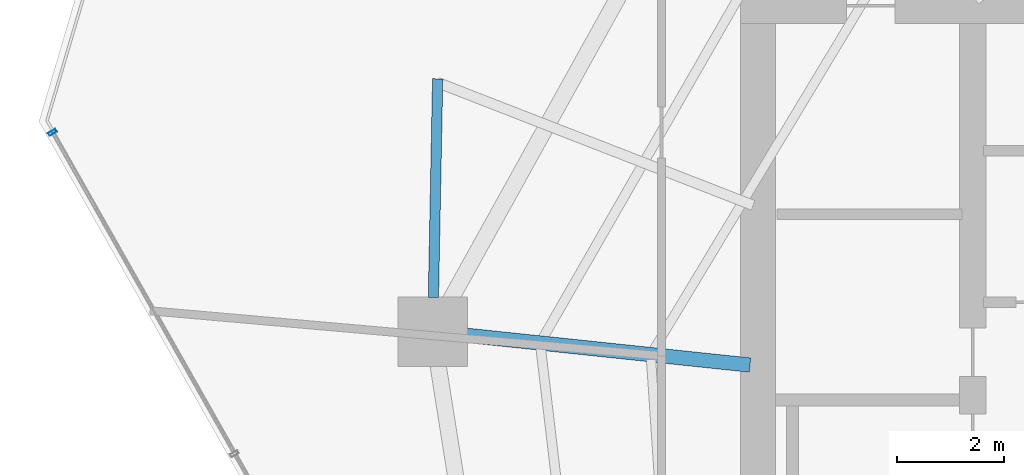
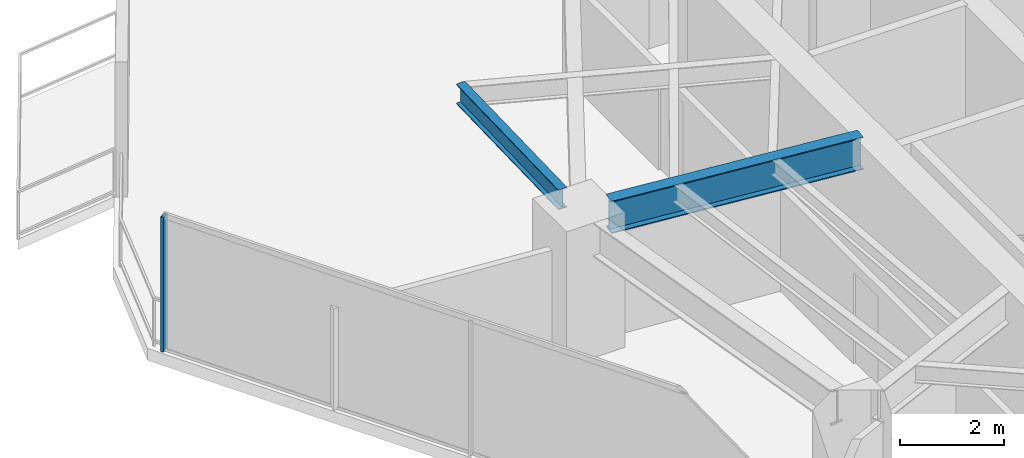
# One storey, part 9 of 31: 2 beams, 1 member, 1 element without a shape of its own.
"""IFC4 building model written with IfcOpenShell, lengths in metres."""

from ifc_helpers import new_model, si_unit, direction, frame, origin, origin_2d, place, context, subcontext, project, spatial, hollow_rectangle, i_section, extrude, material, layer, layer_set, material_profile, profile_set, type_object, element, aggregate, save


model = new_model("IFC4")

# Units and contexts
model_context = context("Model", 3, precision=1e-05, world=origin(), true_north=direction((0.0, 1.0)))
body_context = subcontext(model_context, "Body", "Model", "MODEL_VIEW")
ifc_project = project(units=[si_unit("LENGTHUNIT", "METRE"), si_unit("AREAUNIT", "SQUARE_METRE"), si_unit("VOLUMEUNIT", "CUBIC_METRE"), si_unit("PLANEANGLEUNIT", "RADIAN"), si_unit("MASSUNIT", "GRAM", prefix="KILO")], contexts=[model_context])

# Site, building, storey
site_placement = place(None, origin())
site = spatial("IfcSite", under=ifc_project, at=site_placement, CompositionType="ELEMENT")
building_placement = place(site_placement, origin())
building = spatial("IfcBuilding", under=site, at=building_placement, Name="Qarnah Convention Tower", CompositionType="ELEMENT")
storey_placement = place(building_placement, frame((0.0, 0.0, 64.949951171875)))
storey = spatial("IfcBuildingStorey", under=building, at=storey_placement, Name="L16", CompositionType="ELEMENT", Elevation=64.949951171875)

# Beams
ifc_material_1 = material(Name="Structural steel S355JR", Category="steel")
ifc_material_profile_1 = material_profile(ifc_material_1, i_section(OverallWidth=0.19189453125, OverallDepth=0.464111328125, WebThickness=0.010986328125, FlangeThickness=0.01806640625, at=origin_2d()), Name="W460X89")
ifc_profile_set_1 = profile_set([ifc_material_profile_1], Name="Structural steel S355JR")
beam_type_1 = type_object("IfcBeamType", Name="BM-CANT-W460A", PredefinedType="BEAM", material=ifc_profile_set_1)
beam_1_placement = place(storey_placement, frame((20.83203125, 32.841064453125, 2.93798828125), z_axis=(-0.01942661808, -0.999811285448, 0.0), x_axis=(0.999811285448, -0.01942661808, 0.0)))
element("IfcBeam", 1, at=beam_1_placement, inside=storey, type_object=beam_type_1, Name="L16 spandrel BM-L16-CTIE-02", PredefinedType="SPANDREL", context=body_context, shape_type="SweptSolid", body=[
    extrude(i_section(OverallWidth=0.19189453125, OverallDepth=0.464111328125, WebThickness=0.010986328125, FlangeThickness=0.01806640625, at=origin_2d()), origin(), (0.0, 0.0, 1.0), 4.07177734375),
])
ifc_material_profile_2 = material_profile(ifc_material_1, i_section(OverallWidth=0.26806640625, OverallDepth=0.760009765625, WebThickness=0.014892578125, FlangeThickness=0.02197265625, at=origin_2d()), Name="W760X185")
ifc_profile_set_2 = profile_set([ifc_material_profile_2], Name="Structural steel S355JR")
beam_type_2 = type_object("IfcBeamType", Name="BM-RAD-W760", PredefinedType="BEAM", material=ifc_profile_set_2)
beam_2_placement = place(storey_placement, frame((26.65087890625, 27.509033203125, 2.7900390625), z_axis=(-0.99452834613, 0.10446707014, 0.0), x_axis=(-0.10446707014, -0.99452834613, 0.0)))
element("IfcBeam", 2, at=beam_2_placement, inside=storey, type_object=beam_type_2, Name="L16 beam BM-L16-RAD-05", PredefinedType="BEAM", context=body_context, shape_type="SweptSolid", body=[
    extrude(i_section(OverallWidth=0.26806640625, OverallDepth=0.760009765625, WebThickness=0.014892578125, FlangeThickness=0.02197265625, at=origin_2d()), origin(), (0.0, 0.0, 1.0), 5.31201171875),
])

# Curtain wall, member
ifc_material_2 = material(Name="Tempered Low-E dark glass", Category="glass")
ifc_layer = layer(ifc_material_2, 0.16796875)
ifc_layer_set = layer_set([ifc_layer], Name="Tempered Low-E dark glass")
curtain_wall_type = type_object("IfcCurtainWallType", Name="CWS-01", PredefinedType="NOTDEFINED", material=ifc_layer_set)
curtain_wall_placement = place(storey_placement, origin())
curtain_wall = element("IfcCurtainWall", 3, at=curtain_wall_placement, inside=storey, type_object=curtain_wall_type, Name="L16 unitised curtain wall CW-L16-F3", PredefinedType="NOTDEFINED")
ifc_material_3 = material(Name="Black anodised aluminium", Category="aluminium")
ifc_material_profile_3 = material_profile(ifc_material_3, hollow_rectangle(XDim=0.06005859375, YDim=0.159912109375, WallThickness=0.00390625, at=origin_2d()), Name="MUL-60X160")
ifc_profile_set_3 = profile_set([ifc_material_profile_3], Name="Black anodised aluminium")
member_type = type_object("IfcMemberType", Name="MUL-T1", PredefinedType="MULLION", material=ifc_profile_set_3)
member_placement = place(storey_placement, frame((13.657958984375, 31.843994140625, 0.0), z_axis=(0.0, 0.0, 1.0), x_axis=(-0.492728662866, 0.870183006493, 0.0)))
member = element("IfcMember", 4, at=member_placement, type_object=member_type, Name="CW-L16-F3 mullion 6", PredefinedType="MULLION", context=body_context, shape_type="SweptSolid", body=[
    extrude(hollow_rectangle(XDim=0.06005859375, YDim=0.159912109375, WallThickness=0.00390625, at=origin_2d()), origin(), (0.0, 0.0, 1.0), 3.170166015625),
])
aggregate(curtain_wall, [member])

save(model, "model.ifc")
